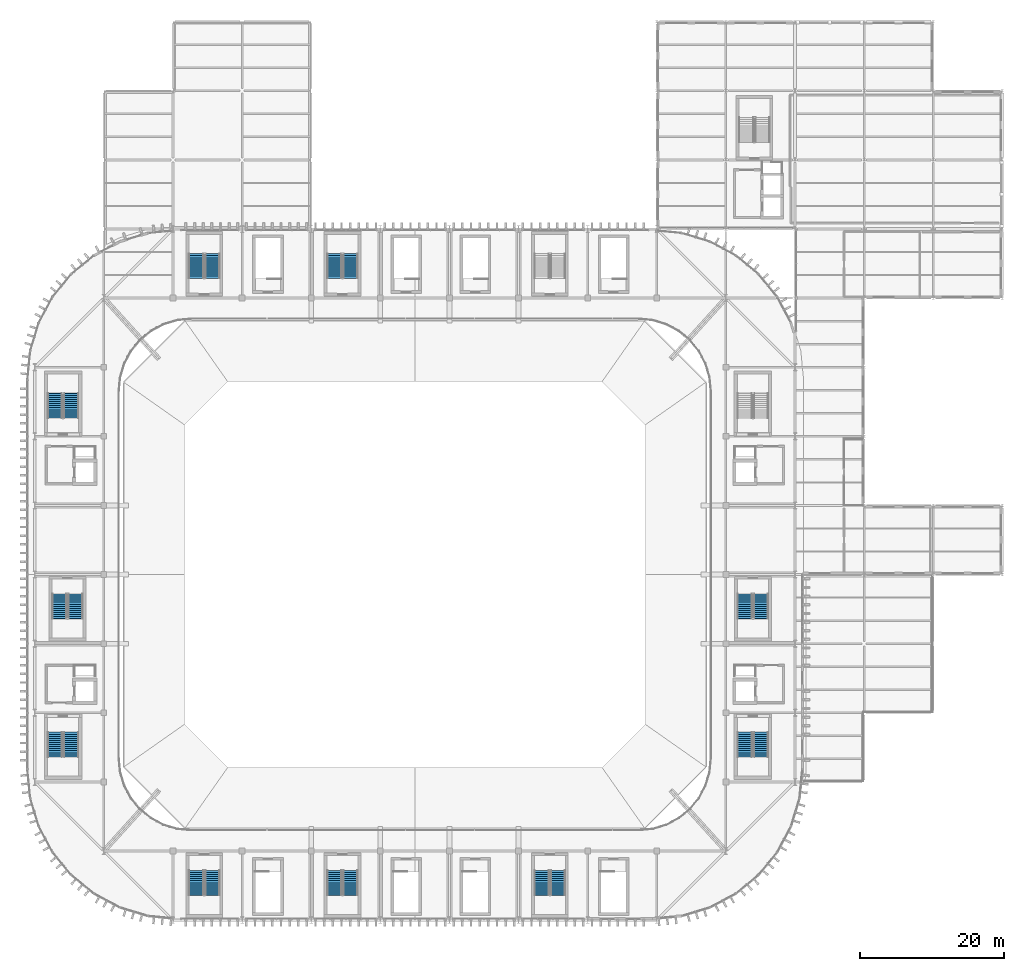
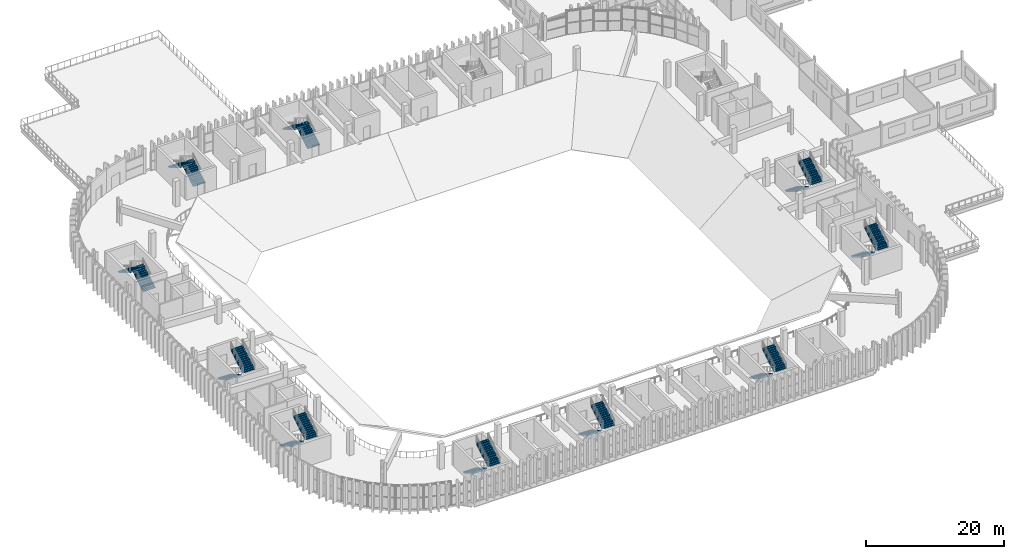
# One storey, part 48 of 69: 20 stair flights, 10 elements without a shape of their own.
"""IFC4 building model written with IfcOpenShell, lengths in metres."""

from ifc_helpers import new_model, si_unit, direction, frame, origin, place, context, subcontext, project, spatial, polyline, outline, extrude, material, type_object, element, aggregate, save


model = new_model("IFC4")

# Units and contexts
model_context = context("Model", 3, precision=1e-05, world=origin(), true_north=direction((0.0, 1.0)))
body_context = subcontext(model_context, "Body", "Model", "MODEL_VIEW")
ifc_project = project(units=[si_unit("LENGTHUNIT", "METRE"), si_unit("AREAUNIT", "SQUARE_METRE"), si_unit("VOLUMEUNIT", "CUBIC_METRE"), si_unit("PLANEANGLEUNIT", "RADIAN"), si_unit("MASSUNIT", "GRAM", prefix="KILO")], contexts=[model_context])

# Site, building, storey
site_placement = place(None, origin())
site = spatial("IfcSite", under=ifc_project, at=site_placement, CompositionType="ELEMENT")
building_placement = place(site_placement, origin())
building = spatial("IfcBuilding", under=site, at=building_placement, Name="Caelomonte Colonnade Arena", CompositionType="ELEMENT")
storey_placement = place(building_placement, frame((0.0, 0.0, 18.60009765625)))
storey = spatial("IfcBuildingStorey", under=building, at=storey_placement, Name="L04", CompositionType="ELEMENT", Elevation=18.60009765625)

# Stair, stair flights
ifc_material = material(Name="Concrete C40/50", Category="concrete")
stair_type_1 = type_object("IfcStairType", Name="INT-ST-CORE45", PredefinedType="HALF_TURN_STAIR", material=ifc_material)
stair_1_placement = place(storey_placement, origin())
stair_1 = element("IfcStair", 1, at=stair_1_placement, inside=storey, type_object=stair_type_1, Name="L04 Protected exit stair ST-09", PredefinedType="HALF_TURN_STAIR")
stair_flight_type_1 = type_object("IfcStairFlightType", Name="INT-SF-CORE45", PredefinedType="STRAIGHT", material=ifc_material)
stair_flight_1_placement = place(storey_placement, frame((61.02490234375, 64.5, 0.0), z_axis=(0.0, 0.0, 1.0), x_axis=(0.0, -1.0, 0.0)))
stair_flight_1 = element("IfcStairFlight", 2, at=stair_flight_1_placement, type_object=stair_flight_type_1, Name="ST-09 flight 1", NumberOfRisers=13, NumberOfTreads=12, PredefinedType="STRAIGHT", RiserHeight=0.173076923, TreadLength=0.285, context=body_context, shape_type="SweptSolid", body=[
    extrude(outline(polyline([(-0.02490234375, 0.0), (-0.02490234375, 0.103759765625), (0.0, 0.103759765625), (0.0, 0.173095703125), (0.284912109375, 0.173095703125), (0.284912109375, 0.34619140625), (0.570068359375, 0.34619140625), (0.570068359375, 0.519287109375), (0.85498046875, 0.519287109375), (0.85498046875, 0.6923828125), (1.139892578125, 0.6923828125), (1.139892578125, 0.865478515625), (1.425048828125, 0.865478515625), (1.425048828125, 1.03857421875), (1.7099609375, 1.03857421875), (1.7099609375, 1.21142578125), (1.9951171875, 1.21142578125), (1.9951171875, 1.384521484375), (2.280029296875, 1.384521484375), (2.280029296875, 1.5576171875), (2.56494140625, 1.5576171875), (2.56494140625, 1.730712890625), (2.85009765625, 1.730712890625), (2.85009765625, 1.90380859375), (3.135009765625, 1.90380859375), (3.135009765625, 2.076904296875), (3.419921875, 2.076904296875), (3.419921875, 2.25), (3.445068359375, 2.25), (3.445068359375, 1.901611328125), (0.288818359375, 0.0), (-0.02490234375, 0.0)])), frame((0.0, 1.02490234375, 0.0), z_axis=(0.0, -1.0, 0.0), x_axis=(1.0, 0.0, 0.0)), (0.0, 0.0, 1.0), 2.050048828125),
])
stair_flight_2_placement = place(storey_placement, frame((63.27490234375, 61.080078125, 2.25), z_axis=(0.0, 0.0, 1.0), x_axis=(0.0, 1.0, 0.0)))
stair_flight_2 = element("IfcStairFlight", 3, at=stair_flight_2_placement, type_object=stair_flight_type_1, Name="ST-09 flight 2", NumberOfRisers=13, NumberOfTreads=12, PredefinedType="STRAIGHT", RiserHeight=0.173076923, TreadLength=0.285, context=body_context, shape_type="SweptSolid", body=[
    extrude(outline(polyline([(-0.02490234375, 0.0), (-0.02490234375, 0.103759765625), (0.0, 0.103759765625), (0.0, 0.173095703125), (0.284912109375, 0.173095703125), (0.284912109375, 0.34619140625), (0.570068359375, 0.34619140625), (0.570068359375, 0.519287109375), (0.85498046875, 0.519287109375), (0.85498046875, 0.6923828125), (1.139892578125, 0.6923828125), (1.139892578125, 0.865478515625), (1.425048828125, 0.865478515625), (1.425048828125, 1.03857421875), (1.7099609375, 1.03857421875), (1.7099609375, 1.21142578125), (1.9951171875, 1.21142578125), (1.9951171875, 1.384521484375), (2.280029296875, 1.384521484375), (2.280029296875, 1.5576171875), (2.56494140625, 1.5576171875), (2.56494140625, 1.730712890625), (2.85009765625, 1.730712890625), (2.85009765625, 1.90380859375), (3.135009765625, 1.90380859375), (3.135009765625, 2.076904296875), (3.419921875, 2.076904296875), (3.419921875, 2.25), (3.445068359375, 2.25), (3.445068359375, 1.901611328125), (0.288818359375, 0.0), (-0.02490234375, 0.0)])), frame((0.0, 1.02490234375, 0.0), z_axis=(0.0, -1.0, 0.0), x_axis=(1.0, 0.0, 0.0)), (0.0, 0.0, 1.0), 2.050048828125),
])
aggregate(stair_1, [stair_flight_1, stair_flight_2])

stair_2_placement = place(storey_placement, origin())
stair_2 = element("IfcStair", 4, at=stair_2_placement, inside=storey, type_object=stair_type_1, Name="L04 Protected exit stair ST-10", PredefinedType="HALF_TURN_STAIR")
stair_flight_3_placement = place(storey_placement, frame((156.22509765625, 64.5, 0.0), z_axis=(0.0, 0.0, 1.0), x_axis=(0.0, -1.0, 0.0)))
stair_flight_3 = element("IfcStairFlight", 5, at=stair_flight_3_placement, type_object=stair_flight_type_1, Name="ST-10 flight 1", NumberOfRisers=13, NumberOfTreads=12, PredefinedType="STRAIGHT", RiserHeight=0.173076923, TreadLength=0.285, context=body_context, shape_type="SweptSolid", body=[
    extrude(outline(polyline([(-0.02490234375, 0.0), (-0.02490234375, 0.103759765625), (0.0, 0.103759765625), (0.0, 0.173095703125), (0.284912109375, 0.173095703125), (0.284912109375, 0.34619140625), (0.570068359375, 0.34619140625), (0.570068359375, 0.519287109375), (0.85498046875, 0.519287109375), (0.85498046875, 0.6923828125), (1.139892578125, 0.6923828125), (1.139892578125, 0.865478515625), (1.425048828125, 0.865478515625), (1.425048828125, 1.03857421875), (1.7099609375, 1.03857421875), (1.7099609375, 1.21142578125), (1.9951171875, 1.21142578125), (1.9951171875, 1.384521484375), (2.280029296875, 1.384521484375), (2.280029296875, 1.5576171875), (2.56494140625, 1.5576171875), (2.56494140625, 1.730712890625), (2.85009765625, 1.730712890625), (2.85009765625, 1.90380859375), (3.135009765625, 1.90380859375), (3.135009765625, 2.076904296875), (3.419921875, 2.076904296875), (3.419921875, 2.25), (3.445068359375, 2.25), (3.445068359375, 1.901611328125), (0.288818359375, 0.0), (-0.02490234375, 0.0)])), frame((0.0, 1.02490234375, 0.0), z_axis=(0.0, -1.0, 0.0), x_axis=(1.0, 0.0, 0.0)), (0.0, 0.0, 1.0), 2.050048828125),
])
stair_flight_4_placement = place(storey_placement, frame((158.47509765625, 61.080078125, 2.25), z_axis=(0.0, 0.0, 1.0), x_axis=(0.0, 1.0, 0.0)))
stair_flight_4 = element("IfcStairFlight", 6, at=stair_flight_4_placement, type_object=stair_flight_type_1, Name="ST-10 flight 2", NumberOfRisers=13, NumberOfTreads=12, PredefinedType="STRAIGHT", RiserHeight=0.173076923, TreadLength=0.285, context=body_context, shape_type="SweptSolid", body=[
    extrude(outline(polyline([(-0.02490234375, 0.0), (-0.02490234375, 0.103759765625), (0.0, 0.103759765625), (0.0, 0.173095703125), (0.284912109375, 0.173095703125), (0.284912109375, 0.34619140625), (0.570068359375, 0.34619140625), (0.570068359375, 0.519287109375), (0.85498046875, 0.519287109375), (0.85498046875, 0.6923828125), (1.139892578125, 0.6923828125), (1.139892578125, 0.865478515625), (1.425048828125, 0.865478515625), (1.425048828125, 1.03857421875), (1.7099609375, 1.03857421875), (1.7099609375, 1.21142578125), (1.9951171875, 1.21142578125), (1.9951171875, 1.384521484375), (2.280029296875, 1.384521484375), (2.280029296875, 1.5576171875), (2.56494140625, 1.5576171875), (2.56494140625, 1.730712890625), (2.85009765625, 1.730712890625), (2.85009765625, 1.90380859375), (3.135009765625, 1.90380859375), (3.135009765625, 2.076904296875), (3.419921875, 2.076904296875), (3.419921875, 2.25), (3.445068359375, 2.25), (3.445068359375, 1.901611328125), (0.288818359375, 0.0), (-0.02490234375, 0.0)])), frame((0.0, 1.02490234375, 0.0), z_axis=(0.0, -1.0, 0.0), x_axis=(1.0, 0.0, 0.0)), (0.0, 0.0, 1.0), 2.050048828125),
])
aggregate(stair_2, [stair_flight_3, stair_flight_4])

stair_3_placement = place(storey_placement, origin())
stair_3 = element("IfcStair", 7, at=stair_3_placement, inside=storey, type_object=stair_type_1, Name="L04 Protected exit stair ST-11", PredefinedType="HALF_TURN_STAIR")
stair_flight_5_placement = place(storey_placement, frame((80.02490234375, 26.10009765625, 0.0), z_axis=(0.0, 0.0, 1.0), x_axis=(0.0, -1.0, 0.0)))
stair_flight_5 = element("IfcStairFlight", 8, at=stair_flight_5_placement, type_object=stair_flight_type_1, Name="ST-11 flight 1", NumberOfRisers=13, NumberOfTreads=12, PredefinedType="STRAIGHT", RiserHeight=0.173076923, TreadLength=0.285, context=body_context, shape_type="SweptSolid", body=[
    extrude(outline(polyline([(-0.02490234375, 0.0), (-0.02490234375, 0.103759765625), (0.0, 0.103759765625), (0.0, 0.173095703125), (0.284912109375, 0.173095703125), (0.284912109375, 0.34619140625), (0.570068359375, 0.34619140625), (0.570068359375, 0.519287109375), (0.85498046875, 0.519287109375), (0.85498046875, 0.6923828125), (1.139892578125, 0.6923828125), (1.139892578125, 0.865478515625), (1.425048828125, 0.865478515625), (1.425048828125, 1.03857421875), (1.7099609375, 1.03857421875), (1.7099609375, 1.21142578125), (1.9951171875, 1.21142578125), (1.9951171875, 1.384521484375), (2.280029296875, 1.384521484375), (2.280029296875, 1.5576171875), (2.56494140625, 1.5576171875), (2.56494140625, 1.730712890625), (2.85009765625, 1.730712890625), (2.85009765625, 1.90380859375), (3.135009765625, 1.90380859375), (3.135009765625, 2.076904296875), (3.419921875, 2.076904296875), (3.419921875, 2.25), (3.445068359375, 2.25), (3.445068359375, 1.901611328125), (0.288818359375, 0.0), (-0.02490234375, 0.0)])), frame((0.0, 1.02490234375, 0.0), z_axis=(0.0, -1.0, 0.0), x_axis=(1.0, 0.0, 0.0)), (0.0, 0.0, 1.0), 2.050048828125),
])
stair_flight_6_placement = place(storey_placement, frame((82.27490234375, 22.679931640625, 2.25), z_axis=(0.0, 0.0, 1.0), x_axis=(0.0, 1.0, 0.0)))
stair_flight_6 = element("IfcStairFlight", 9, at=stair_flight_6_placement, type_object=stair_flight_type_1, Name="ST-11 flight 2", NumberOfRisers=13, NumberOfTreads=12, PredefinedType="STRAIGHT", RiserHeight=0.173076923, TreadLength=0.285, context=body_context, shape_type="SweptSolid", body=[
    extrude(outline(polyline([(-0.02490234375, 0.0), (-0.02490234375, 0.103759765625), (0.0, 0.103759765625), (0.0, 0.173095703125), (0.284912109375, 0.173095703125), (0.284912109375, 0.34619140625), (0.570068359375, 0.34619140625), (0.570068359375, 0.519287109375), (0.85498046875, 0.519287109375), (0.85498046875, 0.6923828125), (1.139892578125, 0.6923828125), (1.139892578125, 0.865478515625), (1.425048828125, 0.865478515625), (1.425048828125, 1.03857421875), (1.7099609375, 1.03857421875), (1.7099609375, 1.21142578125), (1.9951171875, 1.21142578125), (1.9951171875, 1.384521484375), (2.280029296875, 1.384521484375), (2.280029296875, 1.5576171875), (2.56494140625, 1.5576171875), (2.56494140625, 1.730712890625), (2.85009765625, 1.730712890625), (2.85009765625, 1.90380859375), (3.135009765625, 1.90380859375), (3.135009765625, 2.076904296875), (3.419921875, 2.076904296875), (3.419921875, 2.25), (3.445068359375, 2.25), (3.445068359375, 1.901611328125), (0.288818359375, 0.0), (-0.02490234375, 0.0)])), frame((0.0, 1.02490234375, 0.0), z_axis=(0.0, -1.0, 0.0), x_axis=(1.0, 0.0, 0.0)), (0.0, 0.0, 1.0), 2.050048828125),
])
aggregate(stair_3, [stair_flight_5, stair_flight_6])

stair_4_placement = place(storey_placement, origin())
stair_4 = element("IfcStair", 10, at=stair_4_placement, inside=storey, type_object=stair_type_1, Name="L04 Protected exit stair ST-12", PredefinedType="HALF_TURN_STAIR")
stair_flight_7_placement = place(storey_placement, frame((99.22509765625, 26.10009765625, 0.0), z_axis=(0.0, 0.0, 1.0), x_axis=(0.0, -1.0, 0.0)))
stair_flight_7 = element("IfcStairFlight", 11, at=stair_flight_7_placement, type_object=stair_flight_type_1, Name="ST-12 flight 1", NumberOfRisers=13, NumberOfTreads=12, PredefinedType="STRAIGHT", RiserHeight=0.173076923, TreadLength=0.285, context=body_context, shape_type="SweptSolid", body=[
    extrude(outline(polyline([(-0.02490234375, 0.0), (-0.02490234375, 0.103759765625), (0.0, 0.103759765625), (0.0, 0.173095703125), (0.284912109375, 0.173095703125), (0.284912109375, 0.34619140625), (0.570068359375, 0.34619140625), (0.570068359375, 0.519287109375), (0.85498046875, 0.519287109375), (0.85498046875, 0.6923828125), (1.139892578125, 0.6923828125), (1.139892578125, 0.865478515625), (1.425048828125, 0.865478515625), (1.425048828125, 1.03857421875), (1.7099609375, 1.03857421875), (1.7099609375, 1.21142578125), (1.9951171875, 1.21142578125), (1.9951171875, 1.384521484375), (2.280029296875, 1.384521484375), (2.280029296875, 1.5576171875), (2.56494140625, 1.5576171875), (2.56494140625, 1.730712890625), (2.85009765625, 1.730712890625), (2.85009765625, 1.90380859375), (3.135009765625, 1.90380859375), (3.135009765625, 2.076904296875), (3.419921875, 2.076904296875), (3.419921875, 2.25), (3.445068359375, 2.25), (3.445068359375, 1.901611328125), (0.288818359375, 0.0), (-0.02490234375, 0.0)])), frame((0.0, 1.02490234375, 0.0), z_axis=(0.0, -1.0, 0.0), x_axis=(1.0, 0.0, 0.0)), (0.0, 0.0, 1.0), 2.050048828125),
])
stair_flight_8_placement = place(storey_placement, frame((101.47509765625, 22.679931640625, 2.25), z_axis=(0.0, 0.0, 1.0), x_axis=(0.0, 1.0, 0.0)))
stair_flight_8 = element("IfcStairFlight", 12, at=stair_flight_8_placement, type_object=stair_flight_type_1, Name="ST-12 flight 2", NumberOfRisers=13, NumberOfTreads=12, PredefinedType="STRAIGHT", RiserHeight=0.173076923, TreadLength=0.285, context=body_context, shape_type="SweptSolid", body=[
    extrude(outline(polyline([(-0.02490234375, 0.0), (-0.02490234375, 0.103759765625), (0.0, 0.103759765625), (0.0, 0.173095703125), (0.284912109375, 0.173095703125), (0.284912109375, 0.34619140625), (0.570068359375, 0.34619140625), (0.570068359375, 0.519287109375), (0.85498046875, 0.519287109375), (0.85498046875, 0.6923828125), (1.139892578125, 0.6923828125), (1.139892578125, 0.865478515625), (1.425048828125, 0.865478515625), (1.425048828125, 1.03857421875), (1.7099609375, 1.03857421875), (1.7099609375, 1.21142578125), (1.9951171875, 1.21142578125), (1.9951171875, 1.384521484375), (2.280029296875, 1.384521484375), (2.280029296875, 1.5576171875), (2.56494140625, 1.5576171875), (2.56494140625, 1.730712890625), (2.85009765625, 1.730712890625), (2.85009765625, 1.90380859375), (3.135009765625, 1.90380859375), (3.135009765625, 2.076904296875), (3.419921875, 2.076904296875), (3.419921875, 2.25), (3.445068359375, 2.25), (3.445068359375, 1.901611328125), (0.288818359375, 0.0), (-0.02490234375, 0.0)])), frame((0.0, 1.02490234375, 0.0), z_axis=(0.0, -1.0, 0.0), x_axis=(1.0, 0.0, 0.0)), (0.0, 0.0, 1.0), 2.050048828125),
])
aggregate(stair_4, [stair_flight_7, stair_flight_8])

stair_5_placement = place(storey_placement, origin())
stair_5 = element("IfcStair", 13, at=stair_5_placement, inside=storey, type_object=stair_type_1, Name="L04 Protected exit stair ST-13", PredefinedType="HALF_TURN_STAIR")
stair_flight_9_placement = place(storey_placement, frame((128.02490234375, 26.10009765625, 0.0), z_axis=(0.0, 0.0, 1.0), x_axis=(0.0, -1.0, 0.0)))
stair_flight_9 = element("IfcStairFlight", 14, at=stair_flight_9_placement, type_object=stair_flight_type_1, Name="ST-13 flight 1", NumberOfRisers=13, NumberOfTreads=12, PredefinedType="STRAIGHT", RiserHeight=0.173076923, TreadLength=0.285, context=body_context, shape_type="SweptSolid", body=[
    extrude(outline(polyline([(-0.02490234375, 0.0), (-0.02490234375, 0.103759765625), (0.0, 0.103759765625), (0.0, 0.173095703125), (0.284912109375, 0.173095703125), (0.284912109375, 0.34619140625), (0.570068359375, 0.34619140625), (0.570068359375, 0.519287109375), (0.85498046875, 0.519287109375), (0.85498046875, 0.6923828125), (1.139892578125, 0.6923828125), (1.139892578125, 0.865478515625), (1.425048828125, 0.865478515625), (1.425048828125, 1.03857421875), (1.7099609375, 1.03857421875), (1.7099609375, 1.21142578125), (1.9951171875, 1.21142578125), (1.9951171875, 1.384521484375), (2.280029296875, 1.384521484375), (2.280029296875, 1.5576171875), (2.56494140625, 1.5576171875), (2.56494140625, 1.730712890625), (2.85009765625, 1.730712890625), (2.85009765625, 1.90380859375), (3.135009765625, 1.90380859375), (3.135009765625, 2.076904296875), (3.419921875, 2.076904296875), (3.419921875, 2.25), (3.445068359375, 2.25), (3.445068359375, 1.901611328125), (0.288818359375, 0.0), (-0.02490234375, 0.0)])), frame((0.0, 1.02490234375, 0.0), z_axis=(0.0, -1.0, 0.0), x_axis=(1.0, 0.0, 0.0)), (0.0, 0.0, 1.0), 2.050048828125),
])
stair_flight_10_placement = place(storey_placement, frame((130.27490234375, 22.679931640625, 2.25), z_axis=(0.0, 0.0, 1.0), x_axis=(0.0, 1.0, 0.0)))
stair_flight_10 = element("IfcStairFlight", 15, at=stair_flight_10_placement, type_object=stair_flight_type_1, Name="ST-13 flight 2", NumberOfRisers=13, NumberOfTreads=12, PredefinedType="STRAIGHT", RiserHeight=0.173076923, TreadLength=0.285, context=body_context, shape_type="SweptSolid", body=[
    extrude(outline(polyline([(-0.02490234375, 0.0), (-0.02490234375, 0.103759765625), (0.0, 0.103759765625), (0.0, 0.173095703125), (0.284912109375, 0.173095703125), (0.284912109375, 0.34619140625), (0.570068359375, 0.34619140625), (0.570068359375, 0.519287109375), (0.85498046875, 0.519287109375), (0.85498046875, 0.6923828125), (1.139892578125, 0.6923828125), (1.139892578125, 0.865478515625), (1.425048828125, 0.865478515625), (1.425048828125, 1.03857421875), (1.7099609375, 1.03857421875), (1.7099609375, 1.21142578125), (1.9951171875, 1.21142578125), (1.9951171875, 1.384521484375), (2.280029296875, 1.384521484375), (2.280029296875, 1.5576171875), (2.56494140625, 1.5576171875), (2.56494140625, 1.730712890625), (2.85009765625, 1.730712890625), (2.85009765625, 1.90380859375), (3.135009765625, 1.90380859375), (3.135009765625, 2.076904296875), (3.419921875, 2.076904296875), (3.419921875, 2.25), (3.445068359375, 2.25), (3.445068359375, 1.901611328125), (0.288818359375, 0.0), (-0.02490234375, 0.0)])), frame((0.0, 1.02490234375, 0.0), z_axis=(0.0, -1.0, 0.0), x_axis=(1.0, 0.0, 0.0)), (0.0, 0.0, 1.0), 2.050048828125),
])
aggregate(stair_5, [stair_flight_9, stair_flight_10])

stair_6_placement = place(storey_placement, origin())
stair_6 = element("IfcStair", 16, at=stair_6_placement, inside=storey, type_object=stair_type_1, Name="L04 Protected exit stair ST-14", PredefinedType="HALF_TURN_STAIR")
stair_flight_11_placement = place(storey_placement, frame((82.27490234375, 108.35009765625, 0.0), z_axis=(0.0, 0.0, 1.0), x_axis=(0.0, 1.0, 0.0)))
stair_flight_11 = element("IfcStairFlight", 17, at=stair_flight_11_placement, type_object=stair_flight_type_1, Name="ST-14 flight 1", NumberOfRisers=13, NumberOfTreads=12, PredefinedType="STRAIGHT", RiserHeight=0.173076923, TreadLength=0.285, context=body_context, shape_type="SweptSolid", body=[
    extrude(outline(polyline([(-0.02490234375, 0.0), (-0.02490234375, 0.103759765625), (0.0, 0.103759765625), (0.0, 0.173095703125), (0.284912109375, 0.173095703125), (0.284912109375, 0.34619140625), (0.570068359375, 0.34619140625), (0.570068359375, 0.519287109375), (0.85498046875, 0.519287109375), (0.85498046875, 0.6923828125), (1.139892578125, 0.6923828125), (1.139892578125, 0.865478515625), (1.425048828125, 0.865478515625), (1.425048828125, 1.03857421875), (1.7099609375, 1.03857421875), (1.7099609375, 1.21142578125), (1.9951171875, 1.21142578125), (1.9951171875, 1.384521484375), (2.280029296875, 1.384521484375), (2.280029296875, 1.5576171875), (2.56494140625, 1.5576171875), (2.56494140625, 1.730712890625), (2.85009765625, 1.730712890625), (2.85009765625, 1.90380859375), (3.135009765625, 1.90380859375), (3.135009765625, 2.076904296875), (3.419921875, 2.076904296875), (3.419921875, 2.25), (3.445068359375, 2.25), (3.445068359375, 1.901611328125), (0.288818359375, 0.0), (-0.02490234375, 0.0)])), frame((0.0, 1.02490234375, 0.0), z_axis=(0.0, -1.0, 0.0), x_axis=(1.0, 0.0, 0.0)), (0.0, 0.0, 1.0), 2.050048828125),
])
stair_flight_12_placement = place(storey_placement, frame((80.02490234375, 111.77001953125, 2.25), z_axis=(0.0, 0.0, 1.0), x_axis=(0.0, -1.0, 0.0)))
stair_flight_12 = element("IfcStairFlight", 18, at=stair_flight_12_placement, type_object=stair_flight_type_1, Name="ST-14 flight 2", NumberOfRisers=13, NumberOfTreads=12, PredefinedType="STRAIGHT", RiserHeight=0.173076923, TreadLength=0.285, context=body_context, shape_type="SweptSolid", body=[
    extrude(outline(polyline([(-0.02490234375, 0.0), (-0.02490234375, 0.103759765625), (0.0, 0.103759765625), (0.0, 0.173095703125), (0.284912109375, 0.173095703125), (0.284912109375, 0.34619140625), (0.570068359375, 0.34619140625), (0.570068359375, 0.519287109375), (0.85498046875, 0.519287109375), (0.85498046875, 0.6923828125), (1.139892578125, 0.6923828125), (1.139892578125, 0.865478515625), (1.425048828125, 0.865478515625), (1.425048828125, 1.03857421875), (1.7099609375, 1.03857421875), (1.7099609375, 1.21142578125), (1.9951171875, 1.21142578125), (1.9951171875, 1.384521484375), (2.280029296875, 1.384521484375), (2.280029296875, 1.5576171875), (2.56494140625, 1.5576171875), (2.56494140625, 1.730712890625), (2.85009765625, 1.730712890625), (2.85009765625, 1.90380859375), (3.135009765625, 1.90380859375), (3.135009765625, 2.076904296875), (3.419921875, 2.076904296875), (3.419921875, 2.25), (3.445068359375, 2.25), (3.445068359375, 1.901611328125), (0.288818359375, 0.0), (-0.02490234375, 0.0)])), frame((0.0, 1.02490234375, 0.0), z_axis=(0.0, -1.0, 0.0), x_axis=(1.0, 0.0, 0.0)), (0.0, 0.0, 1.0), 2.050048828125),
])
aggregate(stair_6, [stair_flight_11, stair_flight_12])

stair_7_placement = place(storey_placement, origin())
stair_7 = element("IfcStair", 19, at=stair_7_placement, inside=storey, type_object=stair_type_1, Name="L04 Protected exit stair ST-15", PredefinedType="HALF_TURN_STAIR")
stair_flight_13_placement = place(storey_placement, frame((101.47509765625, 108.35009765625, 0.0), z_axis=(0.0, 0.0, 1.0), x_axis=(0.0, 1.0, 0.0)))
stair_flight_13 = element("IfcStairFlight", 20, at=stair_flight_13_placement, type_object=stair_flight_type_1, Name="ST-15 flight 1", NumberOfRisers=13, NumberOfTreads=12, PredefinedType="STRAIGHT", RiserHeight=0.173076923, TreadLength=0.285, context=body_context, shape_type="SweptSolid", body=[
    extrude(outline(polyline([(-0.02490234375, 0.0), (-0.02490234375, 0.103759765625), (0.0, 0.103759765625), (0.0, 0.173095703125), (0.284912109375, 0.173095703125), (0.284912109375, 0.34619140625), (0.570068359375, 0.34619140625), (0.570068359375, 0.519287109375), (0.85498046875, 0.519287109375), (0.85498046875, 0.6923828125), (1.139892578125, 0.6923828125), (1.139892578125, 0.865478515625), (1.425048828125, 0.865478515625), (1.425048828125, 1.03857421875), (1.7099609375, 1.03857421875), (1.7099609375, 1.21142578125), (1.9951171875, 1.21142578125), (1.9951171875, 1.384521484375), (2.280029296875, 1.384521484375), (2.280029296875, 1.5576171875), (2.56494140625, 1.5576171875), (2.56494140625, 1.730712890625), (2.85009765625, 1.730712890625), (2.85009765625, 1.90380859375), (3.135009765625, 1.90380859375), (3.135009765625, 2.076904296875), (3.419921875, 2.076904296875), (3.419921875, 2.25), (3.445068359375, 2.25), (3.445068359375, 1.901611328125), (0.288818359375, 0.0), (-0.02490234375, 0.0)])), frame((0.0, 1.02490234375, 0.0), z_axis=(0.0, -1.0, 0.0), x_axis=(1.0, 0.0, 0.0)), (0.0, 0.0, 1.0), 2.050048828125),
])
stair_flight_14_placement = place(storey_placement, frame((99.22509765625, 111.77001953125, 2.25), z_axis=(0.0, 0.0, 1.0), x_axis=(0.0, -1.0, 0.0)))
stair_flight_14 = element("IfcStairFlight", 21, at=stair_flight_14_placement, type_object=stair_flight_type_1, Name="ST-15 flight 2", NumberOfRisers=13, NumberOfTreads=12, PredefinedType="STRAIGHT", RiserHeight=0.173076923, TreadLength=0.285, context=body_context, shape_type="SweptSolid", body=[
    extrude(outline(polyline([(-0.02490234375, 0.0), (-0.02490234375, 0.103759765625), (0.0, 0.103759765625), (0.0, 0.173095703125), (0.284912109375, 0.173095703125), (0.284912109375, 0.34619140625), (0.570068359375, 0.34619140625), (0.570068359375, 0.519287109375), (0.85498046875, 0.519287109375), (0.85498046875, 0.6923828125), (1.139892578125, 0.6923828125), (1.139892578125, 0.865478515625), (1.425048828125, 0.865478515625), (1.425048828125, 1.03857421875), (1.7099609375, 1.03857421875), (1.7099609375, 1.21142578125), (1.9951171875, 1.21142578125), (1.9951171875, 1.384521484375), (2.280029296875, 1.384521484375), (2.280029296875, 1.5576171875), (2.56494140625, 1.5576171875), (2.56494140625, 1.730712890625), (2.85009765625, 1.730712890625), (2.85009765625, 1.90380859375), (3.135009765625, 1.90380859375), (3.135009765625, 2.076904296875), (3.419921875, 2.076904296875), (3.419921875, 2.25), (3.445068359375, 2.25), (3.445068359375, 1.901611328125), (0.288818359375, 0.0), (-0.02490234375, 0.0)])), frame((0.0, 1.02490234375, 0.0), z_axis=(0.0, -1.0, 0.0), x_axis=(1.0, 0.0, 0.0)), (0.0, 0.0, 1.0), 2.050048828125),
])
aggregate(stair_7, [stair_flight_13, stair_flight_14])

stair_type_2 = type_object("IfcStairType", Name="INT-ST-WING45", PredefinedType="HALF_TURN_STAIR", material=ifc_material)
stair_8_placement = place(storey_placement, origin())
stair_8 = element("IfcStair", 22, at=stair_8_placement, inside=storey, type_object=stair_type_2, Name="L04 Core C1 exit stair ST-01", PredefinedType="HALF_TURN_STAIR")
stair_flight_type_2 = type_object("IfcStairFlightType", Name="INT-SF-WING45", PredefinedType="STRAIGHT", material=ifc_material)
stair_flight_15_placement = place(storey_placement, frame((60.425048828125, 45.300048828125, 0.0), z_axis=(0.0, 0.0, 1.0), x_axis=(0.0, -1.0, 0.0)))
stair_flight_15 = element("IfcStairFlight", 23, at=stair_flight_15_placement, type_object=stair_flight_type_2, Name="ST-01 flight 1", NumberOfRisers=13, NumberOfTreads=12, PredefinedType="STRAIGHT", RiserHeight=0.173076923, TreadLength=0.285, context=body_context, shape_type="SweptSolid", body=[
    extrude(outline(polyline([(-0.02490234375, 0.0), (-0.02490234375, 0.103759765625), (0.0, 0.103759765625), (0.0, 0.173095703125), (0.284912109375, 0.173095703125), (0.284912109375, 0.34619140625), (0.570068359375, 0.34619140625), (0.570068359375, 0.519287109375), (0.85498046875, 0.519287109375), (0.85498046875, 0.6923828125), (1.139892578125, 0.6923828125), (1.139892578125, 0.865478515625), (1.425048828125, 0.865478515625), (1.425048828125, 1.03857421875), (1.7099609375, 1.03857421875), (1.7099609375, 1.21142578125), (1.9951171875, 1.21142578125), (1.9951171875, 1.384521484375), (2.280029296875, 1.384521484375), (2.280029296875, 1.5576171875), (2.56494140625, 1.5576171875), (2.56494140625, 1.730712890625), (2.85009765625, 1.730712890625), (2.85009765625, 1.90380859375), (3.135009765625, 1.90380859375), (3.135009765625, 2.076904296875), (3.419921875, 2.076904296875), (3.419921875, 2.25), (3.445068359375, 2.25), (3.445068359375, 1.901611328125), (0.288818359375, 0.0), (-0.02490234375, 0.0)])), frame((0.0, 1.02490234375, 0.0), z_axis=(0.0, -1.0, 0.0), x_axis=(1.0, 0.0, 0.0)), (0.0, 0.0, 1.0), 2.050048828125),
])
stair_flight_16_placement = place(storey_placement, frame((62.675048828125, 41.8798828125, 2.25), z_axis=(0.0, 0.0, 1.0), x_axis=(0.0, 1.0, 0.0)))
stair_flight_16 = element("IfcStairFlight", 24, at=stair_flight_16_placement, type_object=stair_flight_type_2, Name="ST-01 flight 2", NumberOfRisers=13, NumberOfTreads=12, PredefinedType="STRAIGHT", RiserHeight=0.173076923, TreadLength=0.285, context=body_context, shape_type="SweptSolid", body=[
    extrude(outline(polyline([(-0.02490234375, 0.0), (-0.02490234375, 0.103759765625), (0.0, 0.103759765625), (0.0, 0.173095703125), (0.284912109375, 0.173095703125), (0.284912109375, 0.34619140625), (0.570068359375, 0.34619140625), (0.570068359375, 0.519287109375), (0.85498046875, 0.519287109375), (0.85498046875, 0.6923828125), (1.139892578125, 0.6923828125), (1.139892578125, 0.865478515625), (1.425048828125, 0.865478515625), (1.425048828125, 1.03857421875), (1.7099609375, 1.03857421875), (1.7099609375, 1.21142578125), (1.9951171875, 1.21142578125), (1.9951171875, 1.384521484375), (2.280029296875, 1.384521484375), (2.280029296875, 1.5576171875), (2.56494140625, 1.5576171875), (2.56494140625, 1.730712890625), (2.85009765625, 1.730712890625), (2.85009765625, 1.90380859375), (3.135009765625, 1.90380859375), (3.135009765625, 2.076904296875), (3.419921875, 2.076904296875), (3.419921875, 2.25), (3.445068359375, 2.25), (3.445068359375, 1.901611328125), (0.288818359375, 0.0), (-0.02490234375, 0.0)])), frame((0.0, 1.02490234375, 0.0), z_axis=(0.0, -1.0, 0.0), x_axis=(1.0, 0.0, 0.0)), (0.0, 0.0, 1.0), 2.050048828125),
])
aggregate(stair_8, [stair_flight_15, stair_flight_16])

stair_9_placement = place(storey_placement, origin())
stair_9 = element("IfcStair", 25, at=stair_9_placement, inside=storey, type_object=stair_type_2, Name="L04 Core C4 exit stair ST-04", PredefinedType="HALF_TURN_STAIR")
stair_flight_17_placement = place(storey_placement, frame((62.675048828125, 88.949951171875, 0.0), z_axis=(0.0, 0.0, 1.0), x_axis=(0.0, 1.0, 0.0)))
stair_flight_17 = element("IfcStairFlight", 26, at=stair_flight_17_placement, type_object=stair_flight_type_2, Name="ST-04 flight 1", NumberOfRisers=13, NumberOfTreads=12, PredefinedType="STRAIGHT", RiserHeight=0.173076923, TreadLength=0.285, context=body_context, shape_type="SweptSolid", body=[
    extrude(outline(polyline([(-0.02490234375, 0.0), (-0.02490234375, 0.103759765625), (0.0, 0.103759765625), (0.0, 0.173095703125), (0.284912109375, 0.173095703125), (0.284912109375, 0.34619140625), (0.570068359375, 0.34619140625), (0.570068359375, 0.519287109375), (0.85498046875, 0.519287109375), (0.85498046875, 0.6923828125), (1.139892578125, 0.6923828125), (1.139892578125, 0.865478515625), (1.425048828125, 0.865478515625), (1.425048828125, 1.03857421875), (1.7099609375, 1.03857421875), (1.7099609375, 1.21142578125), (1.9951171875, 1.21142578125), (1.9951171875, 1.384521484375), (2.280029296875, 1.384521484375), (2.280029296875, 1.5576171875), (2.56494140625, 1.5576171875), (2.56494140625, 1.730712890625), (2.85009765625, 1.730712890625), (2.85009765625, 1.90380859375), (3.135009765625, 1.90380859375), (3.135009765625, 2.076904296875), (3.419921875, 2.076904296875), (3.419921875, 2.25), (3.445068359375, 2.25), (3.445068359375, 1.901611328125), (0.288818359375, 0.0), (-0.02490234375, 0.0)])), frame((0.0, 1.02490234375, 0.0), z_axis=(0.0, -1.0, 0.0), x_axis=(1.0, 0.0, 0.0)), (0.0, 0.0, 1.0), 2.050048828125),
])
stair_flight_18_placement = place(storey_placement, frame((60.425048828125, 92.3701171875, 2.25), z_axis=(0.0, 0.0, 1.0), x_axis=(0.0, -1.0, 0.0)))
stair_flight_18 = element("IfcStairFlight", 27, at=stair_flight_18_placement, type_object=stair_flight_type_2, Name="ST-04 flight 2", NumberOfRisers=13, NumberOfTreads=12, PredefinedType="STRAIGHT", RiserHeight=0.173076923, TreadLength=0.285, context=body_context, shape_type="SweptSolid", body=[
    extrude(outline(polyline([(-0.02490234375, 0.0), (-0.02490234375, 0.103759765625), (0.0, 0.103759765625), (0.0, 0.173095703125), (0.284912109375, 0.173095703125), (0.284912109375, 0.34619140625), (0.570068359375, 0.34619140625), (0.570068359375, 0.519287109375), (0.85498046875, 0.519287109375), (0.85498046875, 0.6923828125), (1.139892578125, 0.6923828125), (1.139892578125, 0.865478515625), (1.425048828125, 0.865478515625), (1.425048828125, 1.03857421875), (1.7099609375, 1.03857421875), (1.7099609375, 1.21142578125), (1.9951171875, 1.21142578125), (1.9951171875, 1.384521484375), (2.280029296875, 1.384521484375), (2.280029296875, 1.5576171875), (2.56494140625, 1.5576171875), (2.56494140625, 1.730712890625), (2.85009765625, 1.730712890625), (2.85009765625, 1.90380859375), (3.135009765625, 1.90380859375), (3.135009765625, 2.076904296875), (3.419921875, 2.076904296875), (3.419921875, 2.25), (3.445068359375, 2.25), (3.445068359375, 1.901611328125), (0.288818359375, 0.0), (-0.02490234375, 0.0)])), frame((0.0, 1.02490234375, 0.0), z_axis=(0.0, -1.0, 0.0), x_axis=(1.0, 0.0, 0.0)), (0.0, 0.0, 1.0), 2.050048828125),
])
aggregate(stair_9, [stair_flight_17, stair_flight_18])

stair_10_placement = place(storey_placement, origin())
stair_10 = element("IfcStair", 28, at=stair_10_placement, inside=storey, type_object=stair_type_2, Name="L04 Core C2 exit stair ST-02", PredefinedType="HALF_TURN_STAIR")
stair_flight_19_placement = place(storey_placement, frame((156.22509765625, 45.300048828125, 0.0), z_axis=(0.0, 0.0, 1.0), x_axis=(0.0, -1.0, 0.0)))
stair_flight_19 = element("IfcStairFlight", 29, at=stair_flight_19_placement, type_object=stair_flight_type_2, Name="ST-02 flight 1", NumberOfRisers=13, NumberOfTreads=12, PredefinedType="STRAIGHT", RiserHeight=0.173076923, TreadLength=0.285, context=body_context, shape_type="SweptSolid", body=[
    extrude(outline(polyline([(-0.02490234375, 0.0), (-0.02490234375, 0.103759765625), (0.0, 0.103759765625), (0.0, 0.173095703125), (0.284912109375, 0.173095703125), (0.284912109375, 0.34619140625), (0.570068359375, 0.34619140625), (0.570068359375, 0.519287109375), (0.85498046875, 0.519287109375), (0.85498046875, 0.6923828125), (1.139892578125, 0.6923828125), (1.139892578125, 0.865478515625), (1.425048828125, 0.865478515625), (1.425048828125, 1.03857421875), (1.7099609375, 1.03857421875), (1.7099609375, 1.21142578125), (1.9951171875, 1.21142578125), (1.9951171875, 1.384521484375), (2.280029296875, 1.384521484375), (2.280029296875, 1.5576171875), (2.56494140625, 1.5576171875), (2.56494140625, 1.730712890625), (2.85009765625, 1.730712890625), (2.85009765625, 1.90380859375), (3.135009765625, 1.90380859375), (3.135009765625, 2.076904296875), (3.419921875, 2.076904296875), (3.419921875, 2.25), (3.445068359375, 2.25), (3.445068359375, 1.901611328125), (0.288818359375, 0.0), (-0.02490234375, 0.0)])), frame((0.0, 1.02490234375, 0.0), z_axis=(0.0, -1.0, 0.0), x_axis=(1.0, 0.0, 0.0)), (0.0, 0.0, 1.0), 2.050048828125),
])
stair_flight_20_placement = place(storey_placement, frame((158.47509765625, 41.8798828125, 2.25), z_axis=(0.0, 0.0, 1.0), x_axis=(0.0, 1.0, 0.0)))
stair_flight_20 = element("IfcStairFlight", 30, at=stair_flight_20_placement, type_object=stair_flight_type_2, Name="ST-02 flight 2", NumberOfRisers=13, NumberOfTreads=12, PredefinedType="STRAIGHT", RiserHeight=0.173076923, TreadLength=0.285, context=body_context, shape_type="SweptSolid", body=[
    extrude(outline(polyline([(-0.02490234375, 0.0), (-0.02490234375, 0.103759765625), (0.0, 0.103759765625), (0.0, 0.173095703125), (0.284912109375, 0.173095703125), (0.284912109375, 0.34619140625), (0.570068359375, 0.34619140625), (0.570068359375, 0.519287109375), (0.85498046875, 0.519287109375), (0.85498046875, 0.6923828125), (1.139892578125, 0.6923828125), (1.139892578125, 0.865478515625), (1.425048828125, 0.865478515625), (1.425048828125, 1.03857421875), (1.7099609375, 1.03857421875), (1.7099609375, 1.21142578125), (1.9951171875, 1.21142578125), (1.9951171875, 1.384521484375), (2.280029296875, 1.384521484375), (2.280029296875, 1.5576171875), (2.56494140625, 1.5576171875), (2.56494140625, 1.730712890625), (2.85009765625, 1.730712890625), (2.85009765625, 1.90380859375), (3.135009765625, 1.90380859375), (3.135009765625, 2.076904296875), (3.419921875, 2.076904296875), (3.419921875, 2.25), (3.445068359375, 2.25), (3.445068359375, 1.901611328125), (0.288818359375, 0.0), (-0.02490234375, 0.0)])), frame((0.0, 1.02490234375, 0.0), z_axis=(0.0, -1.0, 0.0), x_axis=(1.0, 0.0, 0.0)), (0.0, 0.0, 1.0), 2.050048828125),
])
aggregate(stair_10, [stair_flight_19, stair_flight_20])

save(model, "model.ifc")
